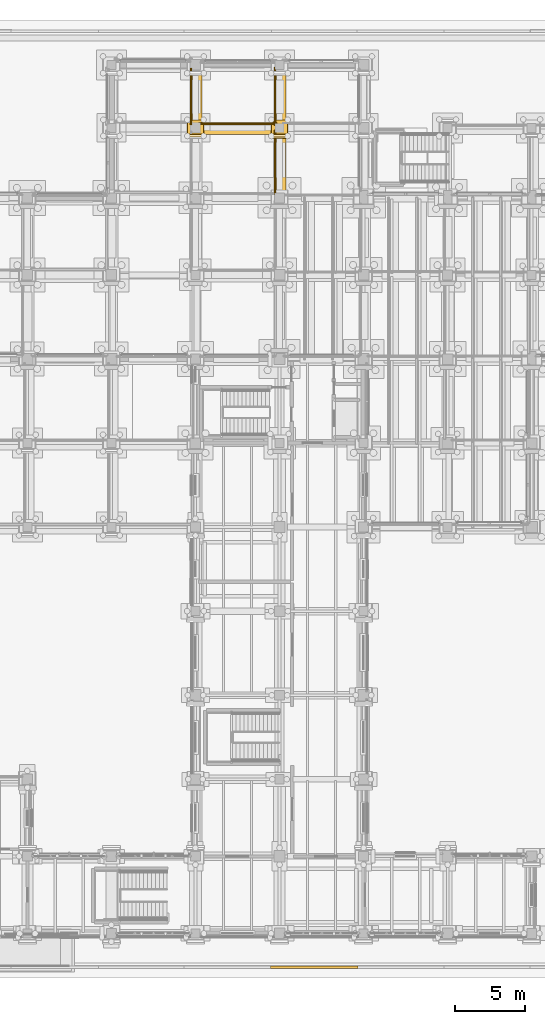
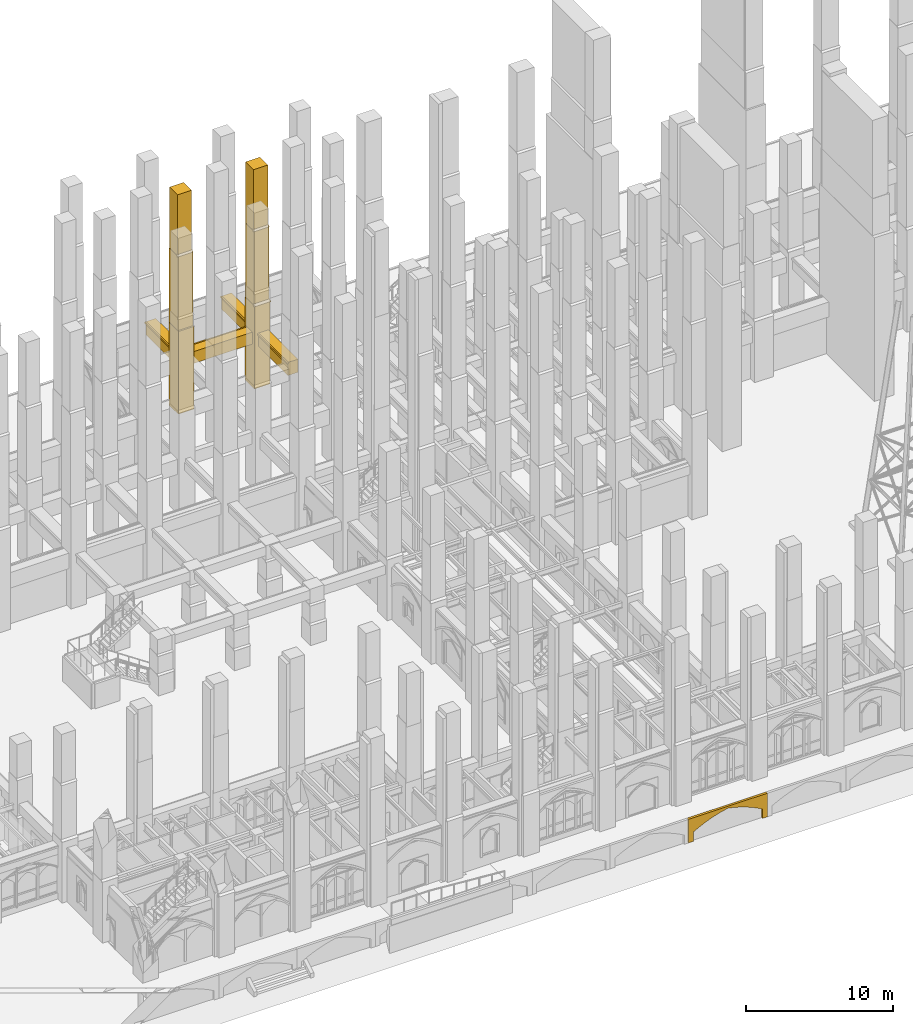
# One storey, part 97 of 135: 18 coverings.
"""IFC4 building model written with IfcOpenShell, lengths in metres."""

from ifc_helpers import new_model, si_unit, direction, frame, origin, origin_2d, place, context, subcontext, project, spatial, polyline, rectangle, outline, extrude, material, type_object, element, save


model = new_model("IFC4")

# Units and contexts
model_context = context("Model", 3, precision=1e-05, world=origin(), true_north=direction((0.0, 1.0)))
body_context = subcontext(model_context, "Body", "Model", "MODEL_VIEW")
ifc_project = project(units=[si_unit("LENGTHUNIT", "METRE"), si_unit("AREAUNIT", "SQUARE_METRE"), si_unit("VOLUMEUNIT", "CUBIC_METRE"), si_unit("PLANEANGLEUNIT", "RADIAN"), si_unit("MASSUNIT", "GRAM", prefix="KILO")], contexts=[model_context])

# Site, building, storey
site_placement = place(None, origin())
site = spatial("IfcSite", under=ifc_project, at=site_placement, CompositionType="ELEMENT")
building_placement = place(site_placement, origin())
building = spatial("IfcBuilding", under=site, at=building_placement, Name="Cumevento Cable Car Station", CompositionType="ELEMENT")
storey_placement = place(building_placement, origin())
storey = spatial("IfcBuildingStorey", under=building, at=storey_placement, Name="L01", CompositionType="ELEMENT", Elevation=0.0)

# Coverings
ifc_material = material(Name="Gnaisse Facoidal Stone Ashlar 85 MPa", Category="masonry")
covering_type = type_object("IfcCoveringType", Name="Gnaisse Ashlar Cladding CV-CL01", PredefinedType="CLADDING", material=ifc_material)
covering_1_placement = place(storey_placement, frame((58.0, 61.409912109375, -0.06005859375), z_axis=(0.0, 0.0, 1.0), x_axis=(1.0, 0.0, 0.0)))
element("IfcCovering", 1, at=covering_1_placement, inside=storey, type_object=covering_type, Name="Stepped Gothic Stone Buttress Tier 1 bt:58.0:61.5", PredefinedType="CLADDING", context=body_context, shape_type="SweptSolid", body=[
    extrude(rectangle(XDim=1.239990234375, YDim=1.300048828125, at=origin_2d()), origin(), (0.0, 0.0, 1.0), 6.885498046875),
])
covering_2_placement = place(storey_placement, frame((58.0, 61.469970703125, 6.46337890625), z_axis=(0.0, 0.0, 1.0), x_axis=(1.0, 0.0, 0.0)))
element("IfcCovering", 2, at=covering_2_placement, inside=storey, type_object=covering_type, Name="Stepped Gothic Stone Buttress Tier 2 bt:58.0:61.5", PredefinedType="CLADDING", context=body_context, shape_type="SweptSolid", body=[
    extrude(rectangle(XDim=1.179931640625, YDim=1.179931640625, at=origin_2d()), origin(), (0.0, 0.0, 1.0), 6.523193359375),
])
covering_3_placement = place(storey_placement, frame((57.389892578125, 60.860107421875, 12.96630859375), z_axis=(0.0, -0.714474823669, 0.699661151089), x_axis=(1.0, 0.0, 0.0)))
element("IfcCovering", 3, at=covering_3_placement, inside=storey, type_object=covering_type, Name="Gothic Buttress Sloped Stone Weathering 2 bt:58.0:61.5", PredefinedType="CLADDING", context=body_context, shape_type="SweptSolid", body=[
    extrude(outline(polyline([(0.0, 0.0), (1.22021484375, 0.0), (1.22021484375, 0.21424991728737655), (0.0, 0.21424991728737655), (0.0, 0.0)])), origin(), (0.0, 0.0, -1.0), 0.090087890625),
])
covering_4_placement = place(storey_placement, frame((58.0, 61.52001953125, 12.6240234375), z_axis=(0.0, 0.0, 1.0), x_axis=(1.0, 0.0, 0.0)))
element("IfcCovering", 4, at=covering_4_placement, inside=storey, type_object=covering_type, Name="Stepped Gothic Stone Buttress Tier 3 bt:58.0:61.5", PredefinedType="CLADDING", context=body_context, shape_type="SweptSolid", body=[
    extrude(rectangle(XDim=1.1201171875, YDim=1.080078125, at=origin_2d()), origin(), (0.0, 0.0, 1.0), 5.43603515625),
])
covering_5_placement = place(storey_placement, frame((64.0, 61.409912109375, -0.06005859375), z_axis=(0.0, 0.0, 1.0), x_axis=(1.0, 0.0, 0.0)))
element("IfcCovering", 5, at=covering_5_placement, inside=storey, type_object=covering_type, Name="Stepped Gothic Stone Buttress Tier 1 bt:64.0:61.5", PredefinedType="CLADDING", context=body_context, shape_type="SweptSolid", body=[
    extrude(rectangle(XDim=1.239990234375, YDim=1.300048828125, at=origin_2d()), origin(), (0.0, 0.0, 1.0), 6.885498046875),
])
covering_6_placement = place(storey_placement, frame((63.360107421875, 60.739990234375, 6.8056640625), z_axis=(0.0, -0.711135781079, 0.703054692658), x_axis=(1.0, 0.0, 0.0)))
element("IfcCovering", 6, at=covering_6_placement, inside=storey, type_object=covering_type, Name="Gothic Buttress Sloped Stone Weathering 1 bt:64.0:61.5", PredefinedType="CLADDING", context=body_context, shape_type="SweptSolid", body=[
    extrude(outline(polyline([(0.0, 0.0), (1.27978515625, 0.0), (1.27978515625, 0.24169083397703695), (0.0, 0.24169083397703695), (0.0, 0.0)])), origin(), (0.0, 0.0, -1.0), 0.090087890625),
])
covering_7_placement = place(storey_placement, frame((64.0, 61.469970703125, 6.46337890625), z_axis=(0.0, 0.0, 1.0), x_axis=(1.0, 0.0, 0.0)))
element("IfcCovering", 7, at=covering_7_placement, inside=storey, type_object=covering_type, Name="Stepped Gothic Stone Buttress Tier 2 bt:64.0:61.5", PredefinedType="CLADDING", context=body_context, shape_type="SweptSolid", body=[
    extrude(rectangle(XDim=1.179931640625, YDim=1.179931640625, at=origin_2d()), origin(), (0.0, 0.0, 1.0), 6.523193359375),
])
covering_8_placement = place(storey_placement, frame((63.389892578125, 60.860107421875, 12.96630859375), z_axis=(0.0, -0.714474823669, 0.699661151089), x_axis=(1.0, 0.0, 0.0)))
element("IfcCovering", 8, at=covering_8_placement, inside=storey, type_object=covering_type, Name="Gothic Buttress Sloped Stone Weathering 2 bt:64.0:61.5", PredefinedType="CLADDING", context=body_context, shape_type="SweptSolid", body=[
    extrude(outline(polyline([(0.0, 0.0), (1.22021484375, 0.0), (1.22021484375, 0.21424991728737655), (0.0, 0.21424991728737655), (0.0, 0.0)])), origin(), (0.0, 0.0, -1.0), 0.090087890625),
])
covering_9_placement = place(storey_placement, frame((64.0, 61.52001953125, 12.6240234375), z_axis=(0.0, 0.0, 1.0), x_axis=(1.0, 0.0, 0.0)))
element("IfcCovering", 9, at=covering_9_placement, inside=storey, type_object=covering_type, Name="Stepped Gothic Stone Buttress Tier 3 bt:64.0:61.5", PredefinedType="CLADDING", context=body_context, shape_type="SweptSolid", body=[
    extrude(rectangle(XDim=1.1201171875, YDim=1.080078125, at=origin_2d()), origin(), (0.0, 0.0, 1.0), 5.43603515625),
])
covering_10_placement = place(storey_placement, frame((61.02490234375, 61.39990234375, 3.5400390625), z_axis=(0.0, 0.0, 1.0), x_axis=(1.0, 0.0, 0.0)))
element("IfcCovering", 10, at=covering_10_placement, inside=storey, type_object=covering_type, Name="Gothic Stone Spandrel Stringcourse sc:0161", PredefinedType="CLADDING", context=body_context, shape_type="SweptSolid", body=[
    extrude(rectangle(XDim=5.5400390625, YDim=0.760009765625, at=origin_2d()), origin(), (0.0, 0.0, 1.0), 0.989990234375),
])
covering_11_placement = place(storey_placement, frame((61.02490234375, 61.8076171875, 4.400146484375), z_axis=(0.0, 0.0, 1.0), x_axis=(1.0, 0.0, 0.0)))
element("IfcCovering", 11, at=covering_11_placement, inside=storey, type_object=covering_type, Name="Gothic Cornice Dripstone Lip sc:0161", PredefinedType="CLADDING", context=body_context, shape_type="SweptSolid", body=[
    extrude(rectangle(XDim=5.580078125, YDim=0.114990234375, at=origin_2d()), origin(), (0.0, 0.0, 1.0), 0.1298828125),
])
covering_12_placement = place(storey_placement, frame((58.08740234375, 63.75, 3.43994140625), z_axis=(0.0, 0.0, 1.0), x_axis=(0.0, 1.0, 0.0)))
element("IfcCovering", 12, at=covering_12_placement, inside=storey, type_object=covering_type, Name="Gothic Stone Spandrel Stringcourse sc:0169", PredefinedType="CLADDING", context=body_context, shape_type="SweptSolid", body=[
    extrude(rectangle(XDim=3.989990234375, YDim=0.784912109375, at=origin_2d()), origin(), (0.0, 0.0, 1.0), 1.090087890625),
])
covering_13_placement = place(storey_placement, frame((57.66748046875, 63.75, 4.400146484375), z_axis=(0.0, 0.0, 1.0), x_axis=(0.0, 1.0, 0.0)))
element("IfcCovering", 13, at=covering_13_placement, inside=storey, type_object=covering_type, Name="Gothic Cornice Dripstone Lip sc:0169", PredefinedType="CLADDING", context=body_context, shape_type="SweptSolid", body=[
    extrude(rectangle(XDim=4.030029296875, YDim=0.114990234375, at=origin_2d()), origin(), (0.0, 0.0, 1.0), 0.1298828125),
])
covering_14_placement = place(storey_placement, frame((64.08740234375, 59.012451171875, 3.39990234375), z_axis=(0.0, 0.0, 1.0), x_axis=(0.0, 1.0, 0.0)))
element("IfcCovering", 14, at=covering_14_placement, inside=storey, type_object=covering_type, Name="Gothic Stone Spandrel Stringcourse sc:0170", PredefinedType="CLADDING", context=body_context, shape_type="SweptSolid", body=[
    extrude(rectangle(XDim=4.56494140625, YDim=0.784912109375, at=origin_2d()), origin(), (0.0, 0.0, 1.0), 1.090087890625),
])
covering_15_placement = place(storey_placement, frame((63.66748046875, 59.012451171875, 4.360107421875), z_axis=(0.0, 0.0, 1.0), x_axis=(0.0, 1.0, 0.0)))
element("IfcCovering", 15, at=covering_15_placement, inside=storey, type_object=covering_type, Name="Gothic Cornice Dripstone Lip sc:0170", PredefinedType="CLADDING", context=body_context, shape_type="SweptSolid", body=[
    extrude(rectangle(XDim=4.60498046875, YDim=0.114990234375, at=origin_2d()), origin(), (0.0, 0.0, 1.0), 0.1298828125),
])
covering_16_placement = place(storey_placement, frame((64.08740234375, 63.75, 3.43994140625), z_axis=(0.0, 0.0, 1.0), x_axis=(0.0, 1.0, 0.0)))
element("IfcCovering", 16, at=covering_16_placement, inside=storey, type_object=covering_type, Name="Gothic Stone Spandrel Stringcourse sc:0171", PredefinedType="CLADDING", context=body_context, shape_type="SweptSolid", body=[
    extrude(rectangle(XDim=4.090087890625, YDim=0.784912109375, at=origin_2d()), origin(), (0.0, 0.0, 1.0), 1.090087890625),
])
covering_17_placement = place(storey_placement, frame((63.66748046875, 63.75, 4.400146484375), z_axis=(0.0, 0.0, 1.0), x_axis=(0.0, 1.0, 0.0)))
element("IfcCovering", 17, at=covering_17_placement, inside=storey, type_object=covering_type, Name="Gothic Cornice Dripstone Lip sc:0171", PredefinedType="CLADDING", context=body_context, shape_type="SweptSolid", body=[
    extrude(rectangle(XDim=4.1298828125, YDim=0.114990234375, at=origin_2d()), origin(), (0.0, 0.0, 1.0), 0.1298828125),
])
covering_18_placement = place(storey_placement, frame((69.564697265625, 1.64990234375, -1.919921875), z_axis=(0.0, 0.0, 1.0), x_axis=(-1.0, 0.0, 0.0)))
element("IfcCovering", 18, at=covering_18_placement, inside=storey, type_object=covering_type, Name="Gothic Ogival Pointed-Arch Stone Spandrel cumevento_plinth:plinth_arch:S:10", PredefinedType="CLADDING", context=body_context, shape_type="SweptSolid", body=[
    extrude(outline(polyline([(-0.02001953125, 0.0), (-0.02001953125, 1.9599609375), (6.194091796875, 1.9599609375), (6.194091796875, 0.0), (5.81396484375, 0.0), (5.81396484375, 0.77001953125), (5.3857421875, 1.00390625), (4.945068359375, 1.213623046875), (4.493408203125, 1.3984375), (4.0322265625, 1.558349609375), (3.56298828125, 1.692138671875), (3.087158203125, 1.800048828125), (2.611083984375, 1.692138671875), (2.141845703125, 1.558349609375), (1.6806640625, 1.3984375), (1.22900390625, 1.213623046875), (0.788330078125, 1.00390625), (0.360107421875, 0.77001953125), (0.360107421875, 0.0), (-0.02001953125, 0.0)])), frame((0.0, 0.14990234375, 0.0), z_axis=(0.0, -1.0, 0.0), x_axis=(1.0, 0.0, 0.0)), (0.0, 0.0, 1.0), 0.179931640625),
])

save(model, "model.ifc")
